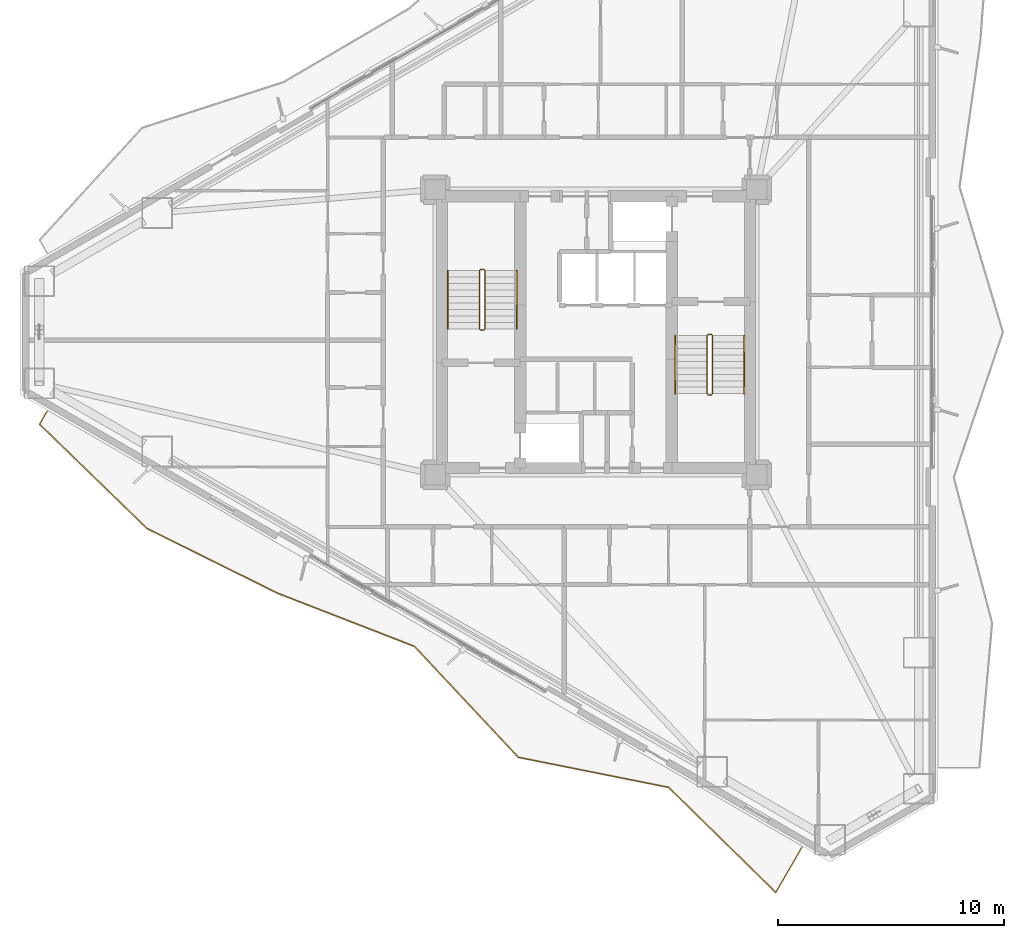
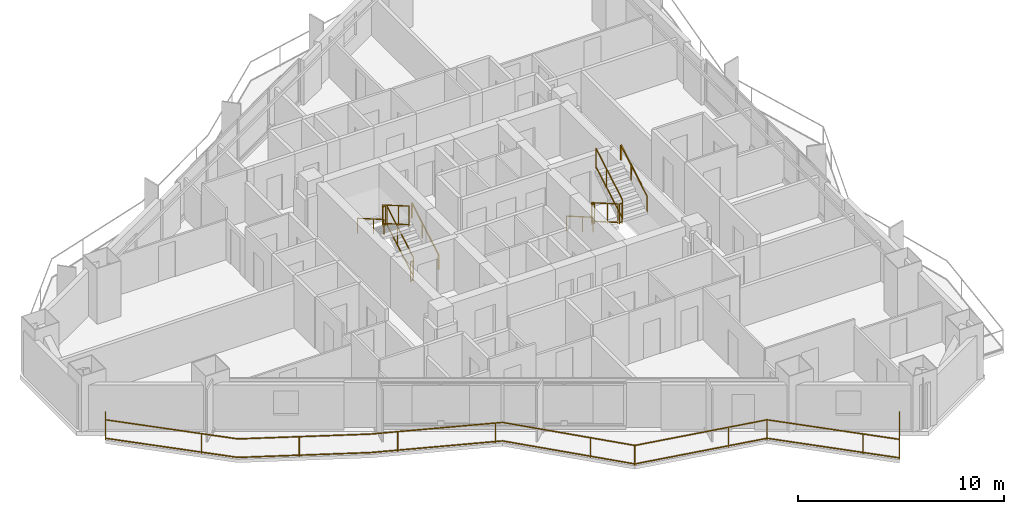
# One storey, part 17 of 18: 13 railings.
"""IFC4 building model written with IfcOpenShell, lengths in metres."""

from ifc_helpers import new_model, si_unit, direction, frame, origin, origin_2d, place, context, subcontext, project, spatial, rectangle, extrude, material, type_object, element, save


model = new_model("IFC4")

# Units and contexts
model_context = context("Model", 3, precision=1e-05, world=origin(), true_north=direction((0.0, 1.0)))
body_context = subcontext(model_context, "Body", "Model", "MODEL_VIEW")
ifc_project = project(units=[si_unit("LENGTHUNIT", "METRE"), si_unit("AREAUNIT", "SQUARE_METRE"), si_unit("VOLUMEUNIT", "CUBIC_METRE"), si_unit("PLANEANGLEUNIT", "RADIAN"), si_unit("MASSUNIT", "GRAM", prefix="KILO")], contexts=[model_context])

# Site, building, storey
site_placement = place(None, origin())
site = spatial("IfcSite", under=ifc_project, at=site_placement, CompositionType="ELEMENT")
building_placement = place(site_placement, origin())
building = spatial("IfcBuilding", under=site, at=building_placement, Name="Mersakhor Tower and Convention Hall", CompositionType="ELEMENT")
storey_placement = place(building_placement, frame((0.0, 0.0, 52.199951171875)))
storey = spatial("IfcBuildingStorey", under=building, at=storey_placement, Name="L14", CompositionType="ELEMENT", Elevation=52.199951171875)

# Railings
ifc_material_1 = material(Name="Powder-coated galvanised steel and laminated glass balustrade", Category="steel")
railing_type_1 = type_object("IfcRailingType", Name="RL-BAL-1200", PredefinedType="BALUSTRADE", material=ifc_material_1)
railing_1_placement = place(storey_placement, frame((4.75048828125, 23.256591796875, 0.0)))
element("IfcRailing", 1, at=railing_1_placement, inside=storey, type_object=railing_type_1, Name="L14 Sinusoidal Balcony Balustrade F3", PredefinedType="BALUSTRADE", context=body_context, shape_type="SweptSolid", body=[
    extrude(rectangle(XDim=0.048095703125, YDim=0.048095703125, at=origin_2d()), frame((0.0, 0.0, 1.17578125), z_axis=(-0.500058503878, -0.86599162392, 0.0), x_axis=(0.86599162392, -0.500058503878, 0.0)), (0.0, 0.0, 1.0), 0.64990234375),
    extrude(rectangle(XDim=0.048095703125, YDim=0.048095703125, at=origin_2d()), frame((0.0, 0.0, 0.080078125), z_axis=(-0.500058503878, -0.86599162392, 0.0), x_axis=(0.86599162392, -0.500058503878, 0.0)), (0.0, 0.0, 1.0), 0.64990234375),
    extrude(rectangle(XDim=0.048095703125, YDim=0.048095703125, at=origin_2d()), frame((-0.324951171875, -0.562744140625, 1.17578125), z_axis=(0.717559545038, -0.696497163903, 0.0), x_axis=(0.696497163903, 0.717559545038, 0.0)), (0.0, 0.0, 1.0), 6.61865234375),
    extrude(rectangle(XDim=0.048095703125, YDim=0.048095703125, at=origin_2d()), frame((-0.324951171875, -0.562744140625, 0.080078125), z_axis=(0.717559545038, -0.696497163903, 0.0), x_axis=(0.696497163903, 0.717559545038, 0.0)), (0.0, 0.0, 1.0), 6.61865234375),
    extrude(rectangle(XDim=0.048095703125, YDim=0.048095703125, at=origin_2d()), frame((4.42431640625, -5.172607421875, 1.17578125), z_axis=(0.895940578023, -0.44417393063, 0.0), x_axis=(0.44417393063, 0.895940578023, 0.0)), (0.0, 0.0, 1.0), 6.430908203125),
    extrude(rectangle(XDim=0.048095703125, YDim=0.048095703125, at=origin_2d()), frame((4.42431640625, -5.172607421875, 0.080078125), z_axis=(0.895940578023, -0.44417393063, 0.0), x_axis=(0.44417393063, 0.895940578023, 0.0)), (0.0, 0.0, 1.0), 6.430908203125),
    extrude(rectangle(XDim=0.048095703125, YDim=0.048095703125, at=origin_2d()), frame((10.18603515625, -8.029052734375, 1.17578125), z_axis=(0.932072387988, -0.362272084973, 0.0), x_axis=(0.362272084973, 0.932072387988, 0.0)), (0.0, 0.0, 1.0), 6.493896484375),
    extrude(rectangle(XDim=0.048095703125, YDim=0.048095703125, at=origin_2d()), frame((10.18603515625, -8.029052734375, 0.080078125), z_axis=(0.932072387988, -0.362272084973, 0.0), x_axis=(0.362272084973, 0.932072387988, 0.0)), (0.0, 0.0, 1.0), 6.493896484375),
    extrude(rectangle(XDim=0.048095703125, YDim=0.048095703125, at=origin_2d()), frame((16.23876953125, -10.381591796875, 1.17578125), z_axis=(0.683427589889, -0.730018307564, 0.0), x_axis=(0.730018307564, 0.683427589889, 0.0)), (0.0, 0.0, 1.0), 6.707275390625),
    extrude(rectangle(XDim=0.048095703125, YDim=0.048095703125, at=origin_2d()), frame((16.23876953125, -10.381591796875, 0.080078125), z_axis=(0.683427589889, -0.730018307564, 0.0), x_axis=(0.730018307564, 0.683427589889, 0.0)), (0.0, 0.0, 1.0), 6.707275390625),
    extrude(rectangle(XDim=0.048095703125, YDim=0.048095703125, at=origin_2d()), frame((20.82275390625, -15.278076171875, 1.17578125), z_axis=(0.980546010158, -0.196289383217, 0.0), x_axis=(0.196289383217, 0.980546010158, 0.0)), (0.0, 0.0, 1.0), 6.77490234375),
    extrude(rectangle(XDim=0.048095703125, YDim=0.048095703125, at=origin_2d()), frame((20.82275390625, -15.278076171875, 0.080078125), z_axis=(0.980546010158, -0.196289383217, 0.0), x_axis=(0.196289383217, 0.980546010158, 0.0)), (0.0, 0.0, 1.0), 6.77490234375),
    extrude(rectangle(XDim=0.048095703125, YDim=0.048095703125, at=origin_2d()), frame((27.4658203125, -16.60791015625, 1.17578125), z_axis=(0.713760811358, -0.70038953745, 0.0), x_axis=(0.70038953745, 0.713760811358, 0.0)), (0.0, 0.0, 1.0), 6.6279296875),
    extrude(rectangle(XDim=0.048095703125, YDim=0.048095703125, at=origin_2d()), frame((27.4658203125, -16.60791015625, 0.080078125), z_axis=(0.713760811358, -0.70038953745, 0.0), x_axis=(0.70038953745, 0.713760811358, 0.0)), (0.0, 0.0, 1.0), 6.6279296875),
    extrude(rectangle(XDim=0.048095703125, YDim=0.048095703125, at=origin_2d()), frame((32.196533203125, -21.25, 1.17578125), z_axis=(0.500046407882, 0.865998608524, 0.0), x_axis=(-0.865998608524, 0.500046407882, 0.0)), (0.0, 0.0, 1.0), 2.304931640625),
    extrude(rectangle(XDim=0.048095703125, YDim=0.048095703125, at=origin_2d()), frame((32.196533203125, -21.25, 0.080078125), z_axis=(0.500046407882, 0.865998608524, 0.0), x_axis=(-0.865998608524, 0.500046407882, 0.0)), (0.0, 0.0, 1.0), 2.304931640625),
    extrude(rectangle(XDim=0.0419921875, YDim=0.0419921875, at=origin_2d()), origin(), (0.0, 0.0, 1.0), 1.15185546875),
    extrude(rectangle(XDim=0.0419921875, YDim=0.0419921875, at=origin_2d()), frame((-0.324951171875, -0.562744140625, 0.0)), (0.0, 0.0, 1.0), 1.15185546875),
    extrude(rectangle(XDim=0.0419921875, YDim=0.0419921875, at=origin_2d()), frame((3.119384765625, -3.906005859375, 0.0)), (0.0, 0.0, 1.0), 1.15185546875),
    extrude(rectangle(XDim=0.0419921875, YDim=0.0419921875, at=origin_2d()), frame((7.095458984375, -6.496826171875, 0.0)), (0.0, 0.0, 1.0), 1.15185546875),
    extrude(rectangle(XDim=0.0419921875, YDim=0.0419921875, at=origin_2d()), frame((11.44482421875, -8.518310546875, 0.0)), (0.0, 0.0, 1.0), 1.15185546875),
    extrude(rectangle(XDim=0.0419921875, YDim=0.0419921875, at=origin_2d()), frame((15.918701171875, -10.257080078125, 0.0)), (0.0, 0.0, 1.0), 1.15185546875),
    extrude(rectangle(XDim=0.0419921875, YDim=0.0419921875, at=origin_2d()), frame((19.284423828125, -13.635009765625, 0.0)), (0.0, 0.0, 1.0), 1.15185546875),
    extrude(rectangle(XDim=0.0419921875, YDim=0.0419921875, at=origin_2d()), frame((20.82275390625, -15.278076171875, 0.0)), (0.0, 0.0, 1.0), 1.15185546875),
    extrude(rectangle(XDim=0.0419921875, YDim=0.0419921875, at=origin_2d()), frame((25.529296875, -16.22021484375, 0.0)), (0.0, 0.0, 1.0), 1.15185546875),
    extrude(rectangle(XDim=0.0419921875, YDim=0.0419921875, at=origin_2d()), frame((27.4658203125, -16.60791015625, 0.0)), (0.0, 0.0, 1.0), 1.15185546875),
    extrude(rectangle(XDim=0.0419921875, YDim=0.0419921875, at=origin_2d()), frame((30.891845703125, -19.9697265625, 0.0)), (0.0, 0.0, 1.0), 1.15185546875),
    extrude(rectangle(XDim=0.0419921875, YDim=0.0419921875, at=origin_2d()), frame((32.196533203125, -21.25, 0.0)), (0.0, 0.0, 1.0), 1.15185546875),
    extrude(rectangle(XDim=0.0419921875, YDim=0.0419921875, at=origin_2d()), frame((33.34912109375, -19.25390625, 0.0)), (0.0, 0.0, 1.0), 1.15185546875),
])
ifc_material_2 = material(Name="Brushed stainless steel handrail", Category="steel")
railing_type_2 = type_object("IfcRailingType", Name="RL-HR-900", PredefinedType="HANDRAIL", material=ifc_material_2)
railing_2_placement = place(storey_placement, frame((25.5, 26.89990234375, 0.1650390625)))
element("IfcRailing", 2, at=railing_2_placement, inside=storey, type_object=railing_type_2, Name="L14 ST-1 stair handrail 1", PredefinedType="HANDRAIL", context=body_context, shape_type="SweptSolid", body=[
    extrude(rectangle(XDim=0.048095703125, YDim=0.048095703125, at=origin_2d()), frame((0.0, 0.0, 0.8759765625), z_axis=(0.0, 0.865426285481, 0.501036270542), x_axis=(-1.0, 0.0, 0.0)), (0.0, 0.0, 1.0), 2.964111328125),
    extrude(rectangle(XDim=0.0419921875, YDim=0.0419921875, at=origin_2d()), origin(), (0.0, 0.0, 1.0), 0.851806640625),
    extrude(rectangle(XDim=0.0419921875, YDim=0.0419921875, at=origin_2d()), frame((0.0, 1.557861328125, 0.90185546875)), (0.0, 0.0, 1.0), 0.851806640625),
    extrude(rectangle(XDim=0.0419921875, YDim=0.0419921875, at=origin_2d()), frame((0.0, 2.565185546875, 1.485107421875)), (0.0, 0.0, 1.0), 0.851806640625),
])
for number, where, name in (
    (3, (22.449951171875, 29.465087890625, 1.81494140625), "L14 ST-1 stair handrail 2"),
    (4, (32.5, 26.60009765625, 0.1650390625), "L14 ST-2 stair handrail 1"),
):
    element("IfcRailing", number, at=place(storey_placement, frame(where)), inside=storey, type_object=railing_type_2, Name=name, PredefinedType="HANDRAIL", context=body_context, shape_type="SweptSolid", body=[
        extrude(rectangle(XDim=0.048095703125, YDim=0.048095703125, at=origin_2d()), frame((0.0, 0.0, 0.8759765625), z_axis=(0.0, -0.865426285481, 0.501036270542), x_axis=(1.0, 0.0, 0.0)), (0.0, 0.0, 1.0), 2.964111328125),
        extrude(rectangle(XDim=0.0419921875, YDim=0.0419921875, at=origin_2d()), origin(), (0.0, 0.0, 1.0), 0.851806640625),
        extrude(rectangle(XDim=0.0419921875, YDim=0.0419921875, at=origin_2d()), frame((0.0, -1.557861328125, 0.90185546875)), (0.0, 0.0, 1.0), 0.851806640625),
        extrude(rectangle(XDim=0.0419921875, YDim=0.0419921875, at=origin_2d()), frame((0.0, -2.565185546875, 1.485107421875)), (0.0, 0.0, 1.0), 0.851806640625),
    ])
railing_3_placement = place(storey_placement, frame((35.550048828125, 24.034912109375, 1.81494140625)))
element("IfcRailing", 5, at=railing_3_placement, inside=storey, type_object=railing_type_2, Name="L14 ST-2 stair handrail 2", PredefinedType="HANDRAIL", context=body_context, shape_type="SweptSolid", body=[
    extrude(rectangle(XDim=0.048095703125, YDim=0.048095703125, at=origin_2d()), frame((0.0, 0.0, 0.8759765625), z_axis=(0.0, 0.865426285481, 0.501036270542), x_axis=(-1.0, 0.0, 0.0)), (0.0, 0.0, 1.0), 2.964111328125),
    extrude(rectangle(XDim=0.0419921875, YDim=0.0419921875, at=origin_2d()), origin(), (0.0, 0.0, 1.0), 0.851806640625),
    extrude(rectangle(XDim=0.0419921875, YDim=0.0419921875, at=origin_2d()), frame((0.0, 1.557861328125, 0.90185546875)), (0.0, 0.0, 1.0), 0.851806640625),
    extrude(rectangle(XDim=0.0419921875, YDim=0.0419921875, at=origin_2d()), frame((0.0, 2.565185546875, 1.485107421875)), (0.0, 0.0, 1.0), 0.851806640625),
])
ifc_material_3 = material(Name="Painted steel stair balustrade S355", Category="steel")
railing_type_3 = type_object("IfcRailingType", Name="RL-STG-1200", PredefinedType="BALUSTRADE", material=ifc_material_3)
railing_4_placement = place(storey_placement, frame((24.10009765625, 26.89990234375, 0.1650390625)))
element("IfcRailing", 6, at=railing_4_placement, inside=storey, type_object=railing_type_3, Name="L14 ST-1 stair guard 1", PredefinedType="BALUSTRADE", context=body_context, shape_type="SweptSolid", body=[
    extrude(rectangle(XDim=0.048095703125, YDim=0.048095703125, at=origin_2d()), frame((0.0, 0.0, 1.17578125), z_axis=(0.0, 0.865426285481, 0.501036270542), x_axis=(-1.0, 0.0, 0.0)), (0.0, 0.0, 1.0), 2.964111328125),
    extrude(rectangle(XDim=0.048095703125, YDim=0.048095703125, at=origin_2d()), frame((0.0, 0.0, 0.080078125), z_axis=(0.0, 0.865426285481, 0.501036270542), x_axis=(-1.0, 0.0, 0.0)), (0.0, 0.0, 1.0), 2.964111328125),
    extrude(rectangle(XDim=0.0419921875, YDim=0.0419921875, at=origin_2d()), origin(), (0.0, 0.0, 1.0), 1.15185546875),
    extrude(rectangle(XDim=0.0419921875, YDim=0.0419921875, at=origin_2d()), frame((0.0, 1.557861328125, 0.90185546875)), (0.0, 0.0, 1.0), 1.15185546875),
    extrude(rectangle(XDim=0.0419921875, YDim=0.0419921875, at=origin_2d()), frame((0.0, 2.565185546875, 1.485107421875)), (0.0, 0.0, 1.0), 1.15185546875),
])
railing_5_placement = place(storey_placement, frame((24.050048828125, 29.514892578125, 1.650146484375)))
element("IfcRailing", 7, at=railing_5_placement, inside=storey, type_object=railing_type_3, Name="L14 ST-1 stair guard 2", PredefinedType="BALUSTRADE", context=body_context, shape_type="SweptSolid", body=[
    extrude(rectangle(XDim=0.048095703125, YDim=0.048095703125, at=origin_2d()), frame((0.0, 0.0, 1.17578125), z_axis=(-1.0, 0.0, 0.0), x_axis=(0.0, -1.0, 0.0)), (0.0, 0.0, 1.0), 0.150146484375),
    extrude(rectangle(XDim=0.048095703125, YDim=0.048095703125, at=origin_2d()), frame((0.0, 0.0, 0.080078125), z_axis=(-1.0, 0.0, 0.0), x_axis=(0.0, -1.0, 0.0)), (0.0, 0.0, 1.0), 0.150146484375),
    extrude(rectangle(XDim=0.0419921875, YDim=0.0419921875, at=origin_2d()), origin(), (0.0, 0.0, 1.0), 1.15185546875),
    extrude(rectangle(XDim=0.0419921875, YDim=0.0419921875, at=origin_2d()), frame((-0.150146484375, 0.0, 0.0)), (0.0, 0.0, 1.0), 1.15185546875),
])
railing_6_placement = place(storey_placement, frame((23.85009765625, 29.465087890625, 1.81494140625)))
element("IfcRailing", 8, at=railing_6_placement, inside=storey, type_object=railing_type_3, Name="L14 ST-1 stair guard 3", PredefinedType="BALUSTRADE", context=body_context, shape_type="SweptSolid", body=[
    extrude(rectangle(XDim=0.048095703125, YDim=0.048095703125, at=origin_2d()), frame((0.0, 0.0, 1.17578125), z_axis=(0.0, -0.865426285481, 0.501036270542), x_axis=(1.0, 0.0, 0.0)), (0.0, 0.0, 1.0), 2.964111328125),
    extrude(rectangle(XDim=0.048095703125, YDim=0.048095703125, at=origin_2d()), frame((0.0, 0.0, 0.080078125), z_axis=(0.0, -0.865426285481, 0.501036270542), x_axis=(1.0, 0.0, 0.0)), (0.0, 0.0, 1.0), 2.964111328125),
    extrude(rectangle(XDim=0.0419921875, YDim=0.0419921875, at=origin_2d()), origin(), (0.0, 0.0, 1.0), 1.15185546875),
    extrude(rectangle(XDim=0.0419921875, YDim=0.0419921875, at=origin_2d()), frame((0.0, -1.557861328125, 0.90185546875)), (0.0, 0.0, 1.0), 1.15185546875),
    extrude(rectangle(XDim=0.0419921875, YDim=0.0419921875, at=origin_2d()), frame((0.0, -2.565185546875, 1.485107421875)), (0.0, 0.0, 1.0), 1.15185546875),
])
railing_7_placement = place(storey_placement, frame((24.050048828125, 26.85009765625, 0.0)))
element("IfcRailing", 9, at=railing_7_placement, inside=storey, type_object=railing_type_3, Name="L14 ST-1 stair guard 4", PredefinedType="BALUSTRADE", context=body_context, shape_type="SweptSolid", body=[
    extrude(rectangle(XDim=0.048095703125, YDim=0.048095703125, at=origin_2d()), frame((0.0, 0.0, 1.17578125), z_axis=(-1.0, 0.0, 0.0), x_axis=(0.0, -1.0, 0.0)), (0.0, 0.0, 1.0), 0.150146484375),
    extrude(rectangle(XDim=0.048095703125, YDim=0.048095703125, at=origin_2d()), frame((0.0, 0.0, 0.080078125), z_axis=(-1.0, 0.0, 0.0), x_axis=(0.0, -1.0, 0.0)), (0.0, 0.0, 1.0), 0.150146484375),
    extrude(rectangle(XDim=0.0419921875, YDim=0.0419921875, at=origin_2d()), origin(), (0.0, 0.0, 1.0), 1.15185546875),
    extrude(rectangle(XDim=0.0419921875, YDim=0.0419921875, at=origin_2d()), frame((-0.150146484375, 0.0, 0.0)), (0.0, 0.0, 1.0), 1.15185546875),
])
railing_8_placement = place(storey_placement, frame((33.89990234375, 26.60009765625, 0.1650390625)))
element("IfcRailing", 10, at=railing_8_placement, inside=storey, type_object=railing_type_3, Name="L14 ST-2 stair guard 1", PredefinedType="BALUSTRADE", context=body_context, shape_type="SweptSolid", body=[
    extrude(rectangle(XDim=0.048095703125, YDim=0.048095703125, at=origin_2d()), frame((0.0, 0.0, 1.17578125), z_axis=(0.0, -0.865426285481, 0.501036270542), x_axis=(1.0, 0.0, 0.0)), (0.0, 0.0, 1.0), 2.964111328125),
    extrude(rectangle(XDim=0.048095703125, YDim=0.048095703125, at=origin_2d()), frame((0.0, 0.0, 0.080078125), z_axis=(0.0, -0.865426285481, 0.501036270542), x_axis=(1.0, 0.0, 0.0)), (0.0, 0.0, 1.0), 2.964111328125),
    extrude(rectangle(XDim=0.0419921875, YDim=0.0419921875, at=origin_2d()), origin(), (0.0, 0.0, 1.0), 1.15185546875),
    extrude(rectangle(XDim=0.0419921875, YDim=0.0419921875, at=origin_2d()), frame((0.0, -1.557861328125, 0.90185546875)), (0.0, 0.0, 1.0), 1.15185546875),
    extrude(rectangle(XDim=0.0419921875, YDim=0.0419921875, at=origin_2d()), frame((0.0, -2.565185546875, 1.485107421875)), (0.0, 0.0, 1.0), 1.15185546875),
])
railing_9_placement = place(storey_placement, frame((33.949951171875, 23.985107421875, 1.650146484375)))
element("IfcRailing", 11, at=railing_9_placement, inside=storey, type_object=railing_type_3, Name="L14 ST-2 stair guard 2", PredefinedType="BALUSTRADE", context=body_context, shape_type="SweptSolid", body=[
    extrude(rectangle(XDim=0.048095703125, YDim=0.048095703125, at=origin_2d()), frame((0.0, 0.0, 1.17578125), z_axis=(1.0, 0.0, 0.0), x_axis=(0.0, 1.0, 0.0)), (0.0, 0.0, 1.0), 0.150146484375),
    extrude(rectangle(XDim=0.048095703125, YDim=0.048095703125, at=origin_2d()), frame((0.0, 0.0, 0.080078125), z_axis=(1.0, 0.0, 0.0), x_axis=(0.0, 1.0, 0.0)), (0.0, 0.0, 1.0), 0.150146484375),
    extrude(rectangle(XDim=0.0419921875, YDim=0.0419921875, at=origin_2d()), origin(), (0.0, 0.0, 1.0), 1.15185546875),
    extrude(rectangle(XDim=0.0419921875, YDim=0.0419921875, at=origin_2d()), frame((0.150146484375, 0.0, 0.0)), (0.0, 0.0, 1.0), 1.15185546875),
])
railing_10_placement = place(storey_placement, frame((34.14990234375, 24.034912109375, 1.81494140625)))
element("IfcRailing", 12, at=railing_10_placement, inside=storey, type_object=railing_type_3, Name="L14 ST-2 stair guard 3", PredefinedType="BALUSTRADE", context=body_context, shape_type="SweptSolid", body=[
    extrude(rectangle(XDim=0.048095703125, YDim=0.048095703125, at=origin_2d()), frame((0.0, 0.0, 1.17578125), z_axis=(0.0, 0.865426285481, 0.501036270542), x_axis=(-1.0, 0.0, 0.0)), (0.0, 0.0, 1.0), 2.964111328125),
    extrude(rectangle(XDim=0.048095703125, YDim=0.048095703125, at=origin_2d()), frame((0.0, 0.0, 0.080078125), z_axis=(0.0, 0.865426285481, 0.501036270542), x_axis=(-1.0, 0.0, 0.0)), (0.0, 0.0, 1.0), 2.964111328125),
    extrude(rectangle(XDim=0.0419921875, YDim=0.0419921875, at=origin_2d()), origin(), (0.0, 0.0, 1.0), 1.15185546875),
    extrude(rectangle(XDim=0.0419921875, YDim=0.0419921875, at=origin_2d()), frame((0.0, 1.557861328125, 0.90185546875)), (0.0, 0.0, 1.0), 1.15185546875),
    extrude(rectangle(XDim=0.0419921875, YDim=0.0419921875, at=origin_2d()), frame((0.0, 2.565185546875, 1.485107421875)), (0.0, 0.0, 1.0), 1.15185546875),
])
railing_11_placement = place(storey_placement, frame((33.949951171875, 26.64990234375, 0.0)))
element("IfcRailing", 13, at=railing_11_placement, inside=storey, type_object=railing_type_3, Name="L14 ST-2 stair guard 4", PredefinedType="BALUSTRADE", context=body_context, shape_type="SweptSolid", body=[
    extrude(rectangle(XDim=0.048095703125, YDim=0.048095703125, at=origin_2d()), frame((0.0, 0.0, 1.17578125), z_axis=(1.0, 0.0, 0.0), x_axis=(0.0, 1.0, 0.0)), (0.0, 0.0, 1.0), 0.150146484375),
    extrude(rectangle(XDim=0.048095703125, YDim=0.048095703125, at=origin_2d()), frame((0.0, 0.0, 0.080078125), z_axis=(1.0, 0.0, 0.0), x_axis=(0.0, 1.0, 0.0)), (0.0, 0.0, 1.0), 0.150146484375),
    extrude(rectangle(XDim=0.0419921875, YDim=0.0419921875, at=origin_2d()), origin(), (0.0, 0.0, 1.0), 1.15185546875),
    extrude(rectangle(XDim=0.0419921875, YDim=0.0419921875, at=origin_2d()), frame((0.150146484375, 0.0, 0.0)), (0.0, 0.0, 1.0), 1.15185546875),
])

save(model, "model.ifc")
